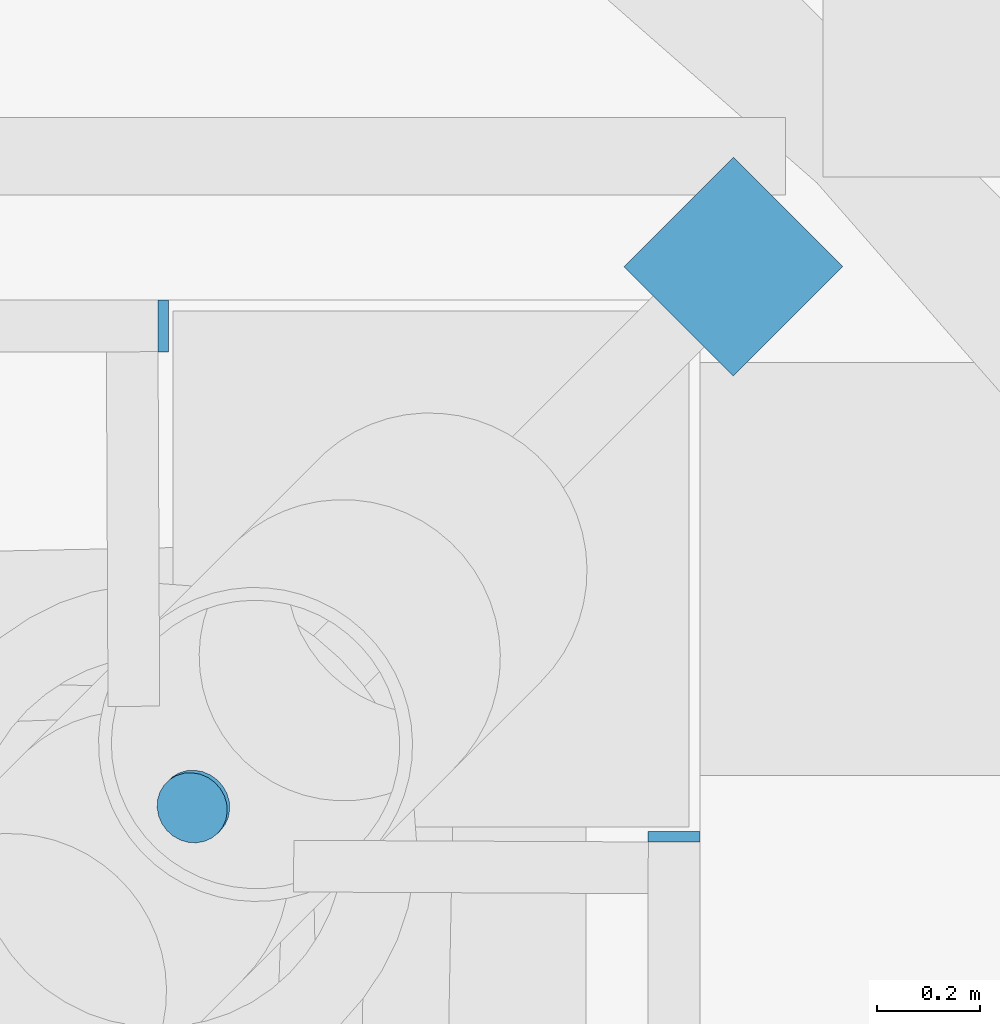
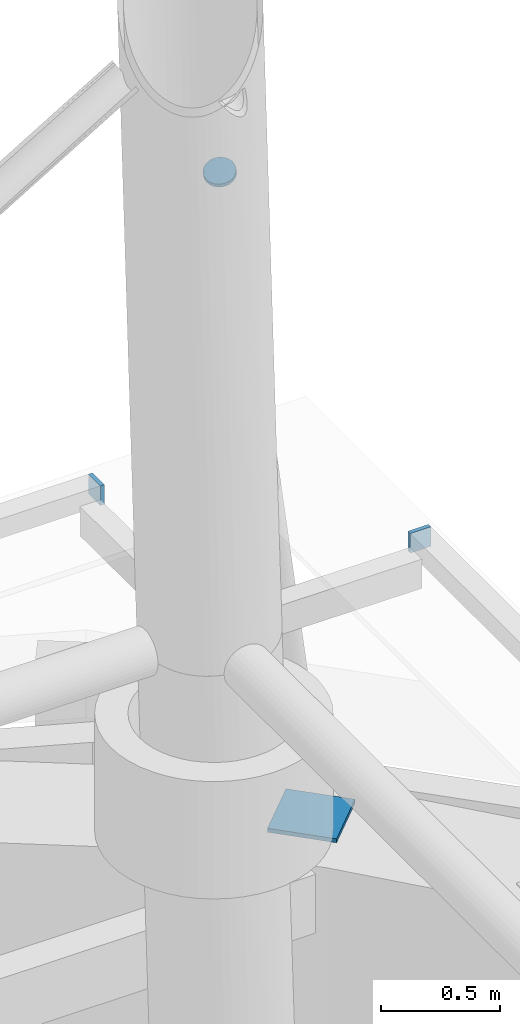
# One storey, part 24 of 36: 4 discrete accessories.
"""IFC4 building model written with IfcOpenShell, lengths in metres."""

import ifcopenshell
import ifcopenshell.guid

model = None  # the IFC model being written
_history = None  # IfcOwnerHistory: only IFC2X3 demands one
_inside = {}  # id of a spatial element -> (the spatial element, [elements in it])
_under = {}  # id of a project, library or spatial element -> (it, [spatial elements below it])
_declared = {}  # id of a project -> (the project, [libraries it declares])
_typed = {}  # id of a type object -> (the type object, [elements of that type])
_made_of = {}  # id of a material, layer set ... -> (it, [elements and type objects made of it])


def new_model(schema):
    """Start an empty IFC model of exactly this schema.

    Asked for "IFC4X3", IfcOpenShell would pick the latest addendum, in which some entities
    have other attributes; the version numbers below select the first issue.
    IFC2X3 requires an IfcOwnerHistory on every rooted entity: one is made here for all.
    """
    global model, _history
    if schema == "IFC4X3":
        model = ifcopenshell.file(schema_version=(4, 3, 0, 0))
    else:
        model = ifcopenshell.file(schema=schema)
    _inside.clear()
    _under.clear()
    _declared.clear()
    _typed.clear()
    _made_of.clear()
    _history = None
    if model.schema == "IFC2X3":
        org = make("IfcOrganization", Name="unknown")
        user = make(
            "IfcPersonAndOrganization",
            ThePerson=make("IfcPerson", FamilyName="unknown"),
            TheOrganization=org,
        )
        app = make(
            "IfcApplication",
            ApplicationDeveloper=org,
            Version="unknown",
            ApplicationFullName="unknown",
            ApplicationIdentifier="unknown",
        )
        _history = make(
            "IfcOwnerHistory",
            OwningUser=user,
            OwningApplication=app,
            ChangeAction="ADDED",
            CreationDate=0,
        )
    return model


def make(cls, **values):
    """One entity of the class cls with the attributes given. An attribute that is None is left unset."""
    return model.create_entity(
        cls, **{name: value for name, value in values.items() if value is not None}
    )


def rooted(cls, **values):
    """An entity with a GlobalId (a new one), such as an element, a storey or a relation."""
    return make(cls, GlobalId=ifcopenshell.guid.new(), OwnerHistory=_history, **values)


def si_unit(unit_type, name, prefix=None):
    """IfcSIUnit, for example si_unit("LENGTHUNIT", "METRE", prefix="MILLI")."""
    return make("IfcSIUnit", UnitType=unit_type, Prefix=prefix, Name=name)


def assignment(units):
    """IfcUnitAssignment: the units of a project."""
    return None if units is None else make("IfcUnitAssignment", Units=units)


def point(xyz):
    """IfcCartesianPoint."""
    return None if xyz is None else make("IfcCartesianPoint", Coordinates=xyz)


def direction(xyz):
    """IfcDirection."""
    return None if xyz is None else make("IfcDirection", DirectionRatios=xyz)


def frame(location, z_axis=None, x_axis=None):
    """IfcAxis2Placement3D, a coordinate frame: its origin and axes. An axis left out is left unset."""
    return make(
        "IfcAxis2Placement3D",
        Location=point(location),
        Axis=direction(z_axis),
        RefDirection=direction(x_axis),
    )


def frame_2d(location, x_axis=None):
    """IfcAxis2Placement2D, a coordinate frame in the plane: its origin and x axis."""
    return make(
        "IfcAxis2Placement2D", Location=point(location), RefDirection=direction(x_axis)
    )


def origin():
    """The frame at (0, 0, 0) with its axes left unset."""
    return frame((0.0, 0.0, 0.0))


def origin_2d():
    """The frame at (0, 0) in the plane with its x axis left unset."""
    return frame_2d((0.0, 0.0))


def place(relative_to, where):
    """IfcLocalPlacement: puts the frame where relative to a parent placement (None: the world)."""
    return make(
        "IfcLocalPlacement", PlacementRelTo=relative_to, RelativePlacement=where
    )


def context(
    kind, dimensions, precision=None, world=None, true_north=None, identifier=None
):
    """IfcGeometricRepresentationContext, for example the 3D "Model" context."""
    return make(
        "IfcGeometricRepresentationContext",
        ContextIdentifier=identifier,
        ContextType=kind,
        CoordinateSpaceDimension=dimensions,
        Precision=precision,
        WorldCoordinateSystem=world,
        TrueNorth=true_north,
    )


def subcontext(parent, identifier, kind, view, scale=None):
    """IfcGeometricRepresentationSubContext, for example "Body" below "Model"."""
    return make(
        "IfcGeometricRepresentationSubContext",
        ContextIdentifier=identifier,
        ContextType=kind,
        ParentContext=parent,
        TargetScale=scale,
        TargetView=view,
    )


def project(units=None, contexts=None):
    """IfcProject with its units and contexts."""
    return rooted(
        "IfcProject",
        Name="project",
        RepresentationContexts=contexts,
        UnitsInContext=assignment(units),
    )


def spatial(cls, under=None, at=None, **own):
    """A site, building, storey or space (cls), placed at a placement, below another one or the project."""
    s = rooted(cls, ObjectPlacement=at, **own)
    if under is not None:
        _under.setdefault(under.id(), (under, []))[1].append(s)
    return s


def profile(cls, at=None, kind="AREA", **sizes):
    """A parametric profile (cls). Its sizes go by their IFC names, for example OverallWidth=200.0."""
    return make(cls, ProfileType=kind, Position=at, **sizes)


def rectangle(**sizes):
    """IfcRectangleProfileDef."""
    return profile("IfcRectangleProfileDef", **sizes)


def circle(**sizes):
    """IfcCircleProfileDef."""
    return profile("IfcCircleProfileDef", **sizes)


def extrude(swept, where, along, depth):
    """IfcExtrudedAreaSolid: the profile swept, set in the frame where, extruded along a direction by depth."""
    return make(
        "IfcExtrudedAreaSolid",
        SweptArea=swept,
        Position=where,
        ExtrudedDirection=direction(along),
        Depth=depth,
    )


def shape(context_of_items, identifier, shape_type, items):
    """IfcShapeRepresentation: the items that make up one representation, for example the "Body"."""
    return make(
        "IfcShapeRepresentation",
        ContextOfItems=context_of_items,
        RepresentationIdentifier=identifier,
        RepresentationType=shape_type,
        Items=items,
    )


def material(Name=None, Category=None):
    """IfcMaterial."""
    return make("IfcMaterial", Name=Name, Category=Category)


def material_profile(
    of_material, cross_section, Name=None, Category=None, Priority=None
):
    """IfcMaterialProfile: a cross section and its material."""
    return make(
        "IfcMaterialProfile",
        Name=Name,
        Material=of_material,
        Profile=cross_section,
        Priority=Priority,
        Category=Category,
    )


def profile_set(profiles, Name=None, composite=None):
    """IfcMaterialProfileSet."""
    return make(
        "IfcMaterialProfileSet",
        Name=Name,
        MaterialProfiles=profiles,
        CompositeProfile=composite,
    )


def made_of(thing, what):
    """Note that an element or type object is made of a material, layer set ...; save() writes the relation."""
    if what is not None:
        _made_of.setdefault(what.id(), (what, []))[1].append(thing)
    return thing


def type_object(cls, material=None, **own):
    """A type object (cls), such as IfcWallType, which elements share."""
    return made_of(rooted(cls, **own), material)


def element(
    cls,
    number,
    at=None,
    inside=None,
    cuts=None,
    type_object=None,
    material=None,
    context=None,
    identifier="Body",
    shape_type=None,
    held_by="IfcProductDefinitionShape",
    body=None,
    shapes=None,
    **own,
):
    """One element of the class cls, such as IfcWall. Its Tag is "e" and its number.

    at: its placement. inside: the storey or other place that contains it. cuts: it is an
    opening in that element (IfcRelVoidsElement). A single representation is given by context,
    identifier, shape_type and body (its items); several are given by shapes. held_by: the class
    of the entity that holds the representations. save() writes the other relations.
    """
    e = rooted(cls, Tag="e%d" % number, ObjectPlacement=at, **own)
    if body is not None:
        shapes = [shape(context, identifier, shape_type, body)]
    if shapes is not None:
        e.Representation = make(held_by, Representations=shapes)
    if inside is not None:
        _inside.setdefault(inside.id(), (inside, []))[1].append(e)
    if cuts is not None:
        rooted(
            "IfcRelVoidsElement", RelatingBuildingElement=cuts, RelatedOpeningElement=e
        )
    if type_object is not None:
        _typed.setdefault(type_object.id(), (type_object, []))[1].append(e)
    return made_of(e, material)


def aggregate(whole, parts):
    """IfcRelAggregates: a whole, such as a stair, and the parts it consists of."""
    return rooted("IfcRelAggregates", RelatingObject=whole, RelatedObjects=parts)


def save(model, path):
    """Write the relations noted so far, then the file.

    IfcRelAggregates (storeys below a building ...), IfcRelContainedInSpatialStructure (elements
    in a storey), IfcRelDefinesByType, IfcRelAssociatesMaterial and IfcRelDeclares: one each for
    every whole, place, type object, material and project.
    """
    for whole, parts in _under.values():
        aggregate(whole, parts)
    for where, things in _inside.values():
        rooted(
            "IfcRelContainedInSpatialStructure",
            RelatedElements=things,
            RelatingStructure=where,
        )
    for kind, things in _typed.values():
        rooted("IfcRelDefinesByType", RelatedObjects=things, RelatingType=kind)
    for what, things in _made_of.values():
        rooted("IfcRelAssociatesMaterial", RelatedObjects=things, RelatingMaterial=what)
    for by, libraries in _declared.values():
        rooted("IfcRelDeclares", RelatingContext=by, RelatedDefinitions=libraries)
    model.write(path)


model = new_model("IFC4")

# Units and contexts
model_context = context("Model", 3, precision=1e-05, world=origin(), true_north=direction((0.0, 1.0)))
body_context = subcontext(model_context, "Body", "Model", "MODEL_VIEW")
ifc_project = project(units=[si_unit("LENGTHUNIT", "METRE"), si_unit("AREAUNIT", "SQUARE_METRE"), si_unit("VOLUMEUNIT", "CUBIC_METRE"), si_unit("PLANEANGLEUNIT", "RADIAN"), si_unit("MASSUNIT", "GRAM", prefix="KILO")], contexts=[model_context])

# Site, building, storey
site_placement = place(None, origin())
site = spatial("IfcSite", under=ifc_project, at=site_placement, CompositionType="ELEMENT")
building_placement = place(site_placement, origin())
building = spatial("IfcBuilding", under=site, at=building_placement, Name="Ipe Terrace Towers", CompositionType="ELEMENT")
storey_placement = place(building_placement, frame((0.0, 0.0, 264.89990234375)))
storey = spatial("IfcBuildingStorey", under=building, at=storey_placement, Name="Roof", CompositionType="ELEMENT", Elevation=264.89990234375)

# Discrete accessories
ifc_material_1 = material(Name="Steel S355", Category="steel")
ifc_material_profile_1 = material_profile(ifc_material_1, rectangle(XDim=0.10009765625, YDim=0.10009765625, at=origin_2d()), Name="MAST END PLATE 100 x 100 x 20")
ifc_profile_set_1 = profile_set([ifc_material_profile_1], Name="Steel S355")
discrete_accessory_type_1 = type_object("IfcDiscreteAccessoryType", Name="MAST END PLATE 100 x 100 x 20", PredefinedType="BRACKET", material=ifc_profile_set_1)
for number, where, z_axis, x_axis, name in (
    (1, (-33.529052734375, 3.470947265625, 10.2470703125), (1.0, 0.0, 0.0), (0.0, 1.0, 0.0), "mast end plate"),
    (2, (-32.529052734375, 2.470947265625, 10.2470703125), (0.0, 1.0, 0.0), (-1.0, 0.0, 0.0), "mast end plate"),
):
    element("IfcDiscreteAccessory", number, at=place(storey_placement, frame(where, z_axis=z_axis, x_axis=x_axis)), inside=storey, type_object=discrete_accessory_type_1, Name=name, PredefinedType="BRACKET", context=body_context, shape_type="SweptSolid", body=[
        extrude(rectangle(XDim=0.10009765625, YDim=0.10009765625, at=origin_2d()), origin(), (0.0, 0.0, 1.0), 0.02001953125),
    ])
ifc_material_2 = material(Name="Steel S355", Category="steel")
ifc_material_profile_2 = material_profile(ifc_material_2, circle(Radius=0.070068359375, at=origin_2d()), Name="MAST END PLATE 140 DIA x 20")
ifc_profile_set_2 = profile_set([ifc_material_profile_2], Name="Steel S355")
discrete_accessory_type_2 = type_object("IfcDiscreteAccessoryType", Name="MAST END PLATE 140 DIA x 20", PredefinedType="BRACKET", material=ifc_profile_set_2)
discrete_accessory_1_placement = place(storey_placement, frame((-33.4580078125, 2.5419921875, 12.403076171875), z_axis=(-0.241051348201, -0.241051348201, 0.940100257984), x_axis=(0.707106781187, -0.707106781187, 0.0)))
element("IfcDiscreteAccessory", 3, at=discrete_accessory_1_placement, inside=storey, type_object=discrete_accessory_type_2, Name="mast end plate", PredefinedType="BRACKET", context=body_context, shape_type="SweptSolid", body=[
    extrude(circle(Radius=0.070068359375, at=origin_2d()), origin(), (0.0, 0.0, 1.0), 0.020263671875),
])
ifc_material_3 = material(Name="Steel S355", Category="steel")
discrete_accessory_type_3 = type_object("IfcDiscreteAccessoryType", Name="MAST STAY BASE PLATE 300 x 300 x 20", PredefinedType="BRACKET", material=ifc_material_3)
discrete_accessory_2_placement = place(storey_placement, frame((-32.4140625, 3.5859375, 8.110107421875), z_axis=(0.0, 0.0, 1.0), x_axis=(-0.707106781187, -0.707106781187, 0.0)))
element("IfcDiscreteAccessory", 4, at=discrete_accessory_2_placement, inside=storey, type_object=discrete_accessory_type_3, Name="mast stay base plate", PredefinedType="BRACKET", context=body_context, shape_type="SweptSolid", body=[
    extrude(rectangle(XDim=0.300048828125, YDim=0.300048828125, at=origin_2d()), origin(), (0.0, 0.0, 1.0), 0.02001953125),
])

save(model, "model.ifc")
